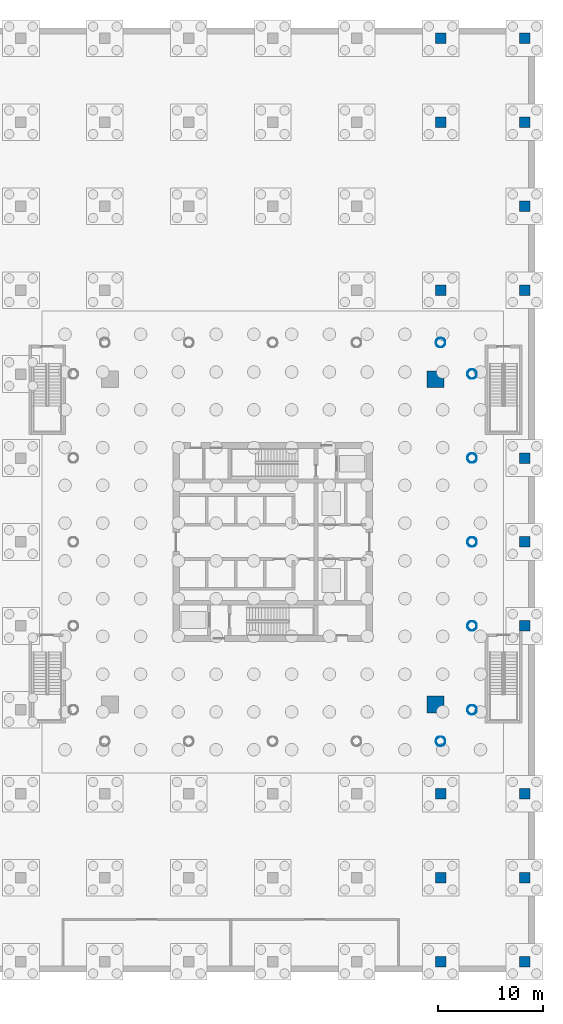
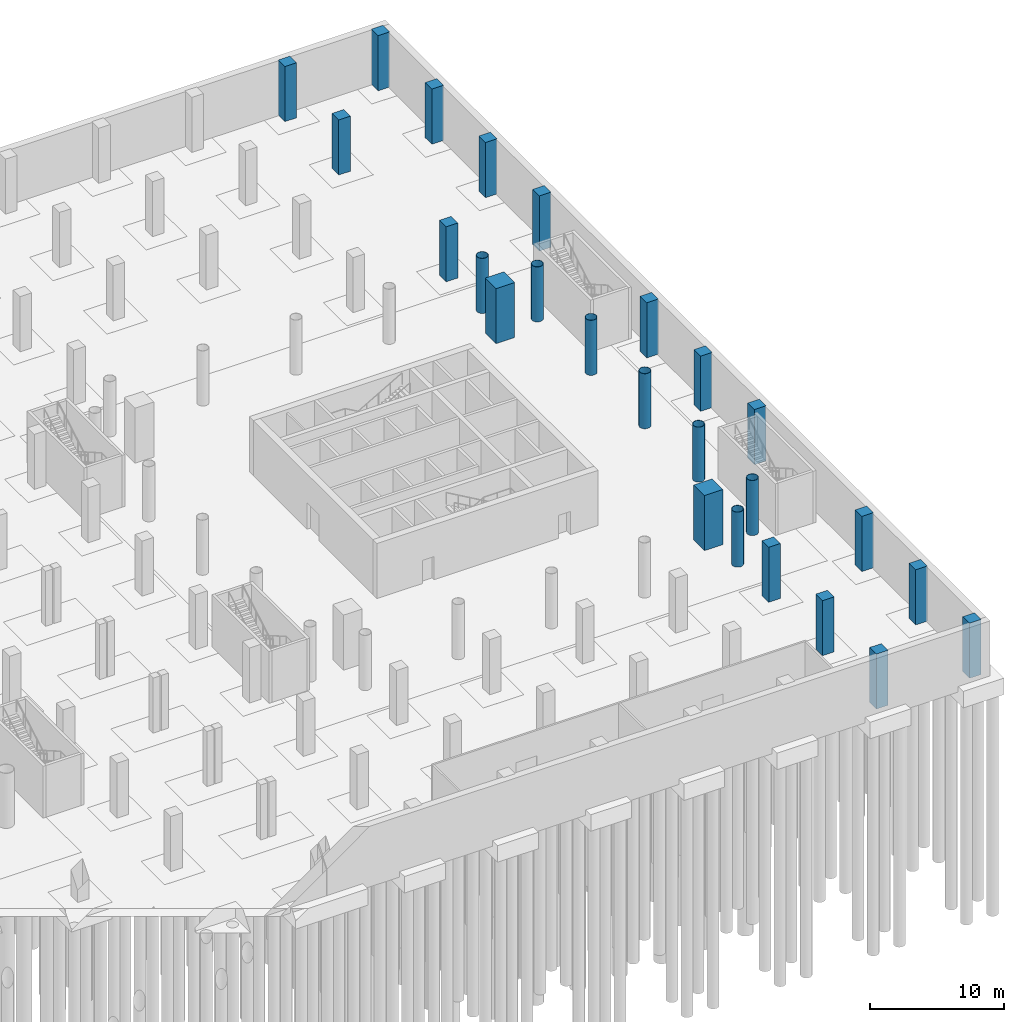
# One storey, part 8 of 24: 25 columns.
"""IFC4 building model written with IfcOpenShell, lengths in metres."""

from ifc_helpers import new_model, si_unit, direction, frame, origin, origin_2d, place, context, subcontext, project, spatial, rectangle, hollow_circle, extrude, material, material_profile, profile_set, type_object, element, save


model = new_model("IFC4")

# Units and contexts
model_context = context("Model", 3, precision=1e-05, world=origin(), true_north=direction((0.0, 1.0)))
body_context = subcontext(model_context, "Body", "Model", "MODEL_VIEW")
ifc_project = project(units=[si_unit("LENGTHUNIT", "METRE"), si_unit("AREAUNIT", "SQUARE_METRE"), si_unit("VOLUMEUNIT", "CUBIC_METRE"), si_unit("PLANEANGLEUNIT", "RADIAN"), si_unit("MASSUNIT", "GRAM", prefix="KILO")], contexts=[model_context])

# Site, building, storey
site_placement = place(None, origin())
site = spatial("IfcSite", under=ifc_project, at=site_placement, CompositionType="ELEMENT")
building_placement = place(site_placement, origin())
building = spatial("IfcBuilding", under=site, at=building_placement, Name="Ostroluk Exchange", CompositionType="ELEMENT")
storey_placement = place(building_placement, frame((0.0, 0.0, -10.0)))
storey = spatial("IfcBuildingStorey", under=building, at=storey_placement, Name="B2", CompositionType="ELEMENT", Elevation=-10.0)

# Columns
ifc_material_1 = material(Name="Concrete C50/60", Category="concrete")
ifc_material_profile_1 = material_profile(ifc_material_1, rectangle(XDim=1.60009765625, YDim=1.60009765625, at=origin_2d()), Name="RC 1600x1600")
ifc_profile_set_1 = profile_set([ifc_material_profile_1], Name="Concrete C50/60")
column_type_1 = type_object("IfcColumnType", Name="Mega column RC 1600x1600", PredefinedType="COLUMN", material=ifc_profile_set_1)
for number, where, z_axis, x_axis, name in (
    (1, (132.5, 61.5, 0.0), (0.0, 0.0, 1.0), (1.0, 0.0, 0.0), "T2 mega column NE"),
    (2, (132.5, 30.5, 0.0), (0.0, 0.0, 1.0), (1.0, 0.0, 0.0), "T2 mega column SE"),
):
    element("IfcColumn", number, at=place(storey_placement, frame(where, z_axis=z_axis, x_axis=x_axis)), inside=storey, type_object=column_type_1, Name=name, PredefinedType="COLUMN", context=body_context, shape_type="SweptSolid", body=[
        extrude(rectangle(XDim=1.60009765625, YDim=1.60009765625, at=origin_2d()), origin(), (0.0, 0.0, 1.0), 5.0),
    ])
ifc_material_2 = material(Name="Steel S460", Category="steel")
ifc_material_profile_2 = material_profile(ifc_material_2, hollow_circle(Radius=0.45703125, WallThickness=0.030029296875, at=origin_2d()), Name="CHS 914x30")
ifc_profile_set_2 = profile_set([ifc_material_profile_2], Name="Steel S460")
column_type_2 = type_object("IfcColumnType", Name="Perimeter column CHS 914x30", PredefinedType="COLUMN", material=ifc_profile_set_2)
for number, where, z_axis, x_axis, name in (
    (3, (136.0, 30.0, 0.0), (0.0, 0.0, 1.0), (1.0, 0.0, 0.0), "T2 east face column E0"),
    (4, (136.0, 62.0, 0.0), (0.0, 0.0, 1.0), (1.0, 0.0, 0.0), "T2 east face column E1"),
    (5, (136.0, 38.0, 0.0), (0.0, 0.0, 1.0), (1.0, 0.0, 0.0), "T2 east face column I1"),
    (6, (136.0, 46.0, 0.0), (0.0, 0.0, 1.0), (1.0, 0.0, 0.0), "T2 east face column I2"),
    (7, (136.0, 54.0, 0.0), (0.0, 0.0, 1.0), (1.0, 0.0, 0.0), "T2 east face column I3"),
    (8, (133.0, 65.0, 0.0), (0.0, 0.0, 1.0), (1.0, 0.0, 0.0), "T2 north face column E0"),
    (9, (133.0, 27.0, 0.0), (0.0, 0.0, 1.0), (1.0, 0.0, 0.0), "T2 south face column E1"),
):
    element("IfcColumn", number, at=place(storey_placement, frame(where, z_axis=z_axis, x_axis=x_axis)), inside=storey, type_object=column_type_2, Name=name, PredefinedType="COLUMN", context=body_context, shape_type="SweptSolid", body=[
        extrude(hollow_circle(Radius=0.45703125, WallThickness=0.030029296875, at=origin_2d()), origin(), (0.0, 0.0, 1.0), 5.0),
    ])
ifc_material_3 = material(Name="Concrete C50/60", Category="concrete")
ifc_material_profile_3 = material_profile(ifc_material_3, rectangle(XDim=1.0, YDim=1.0, at=origin_2d()), Name="RC 1000x1000")
ifc_profile_set_3 = profile_set([ifc_material_profile_3], Name="Concrete C50/60")
column_type_3 = type_object("IfcColumnType", Name="Podium column RC 1000x1000", PredefinedType="COLUMN", material=ifc_profile_set_3)
for number, where, z_axis, x_axis, name in (
    (10, (133.0, 6.0, 0.0), (0.0, 0.0, 1.0), (1.0, 0.0, 0.0), "Podium column 133/6"),
    (11, (133.0, 14.0, 0.0), (0.0, 0.0, 1.0), (1.0, 0.0, 0.0), "Podium column 133/14"),
    (12, (133.0, 22.0, 0.0), (0.0, 0.0, 1.0), (1.0, 0.0, 0.0), "Podium column 133/22"),
    (13, (133.0, 70.0, 0.0), (0.0, 0.0, 1.0), (1.0, 0.0, 0.0), "Podium column 133/70"),
    (14, (133.0, 86.0, 0.0), (0.0, 0.0, 1.0), (1.0, 0.0, 0.0), "Podium column 133/86"),
    (15, (133.0, 94.0, 0.0), (0.0, 0.0, 1.0), (1.0, 0.0, 0.0), "Podium column 133/94"),
    (16, (141.0, 6.0, 0.0), (0.0, 0.0, 1.0), (1.0, 0.0, 0.0), "Podium column 141/6"),
    (17, (141.0, 14.0, 0.0), (0.0, 0.0, 1.0), (1.0, 0.0, 0.0), "Podium column 141/14"),
    (18, (141.0, 22.0, 0.0), (0.0, 0.0, 1.0), (1.0, 0.0, 0.0), "Podium column 141/22"),
    (19, (141.0, 38.0, 0.0), (0.0, 0.0, 1.0), (1.0, 0.0, 0.0), "Podium column 141/38"),
    (20, (141.0, 46.0, 0.0), (0.0, 0.0, 1.0), (1.0, 0.0, 0.0), "Podium column 141/46"),
    (21, (141.0, 54.0, 0.0), (0.0, 0.0, 1.0), (1.0, 0.0, 0.0), "Podium column 141/54"),
    (22, (141.0, 70.0, 0.0), (0.0, 0.0, 1.0), (1.0, 0.0, 0.0), "Podium column 141/70"),
    (23, (141.0, 78.0, 0.0), (0.0, 0.0, 1.0), (1.0, 0.0, 0.0), "Podium column 141/78"),
    (24, (141.0, 86.0, 0.0), (0.0, 0.0, 1.0), (1.0, 0.0, 0.0), "Podium column 141/86"),
    (25, (141.0, 94.0, 0.0), (0.0, 0.0, 1.0), (1.0, 0.0, 0.0), "Podium column 141/94"),
):
    element("IfcColumn", number, at=place(storey_placement, frame(where, z_axis=z_axis, x_axis=x_axis)), inside=storey, type_object=column_type_3, Name=name, PredefinedType="COLUMN", context=body_context, shape_type="SweptSolid", body=[
        extrude(rectangle(XDim=1.0, YDim=1.0, at=origin_2d()), origin(), (0.0, 0.0, 1.0), 5.0),
    ])

save(model, "model.ifc")
